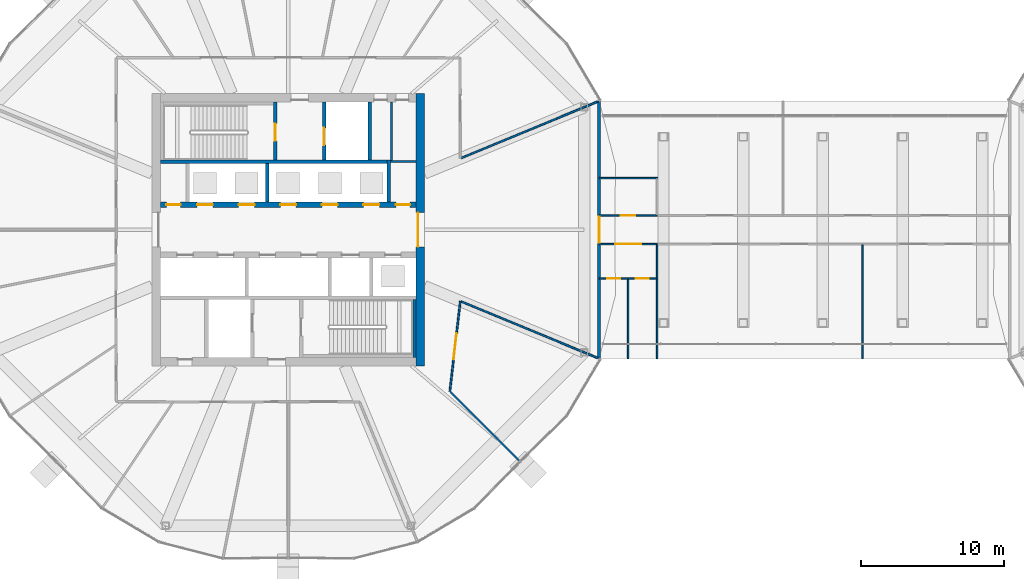
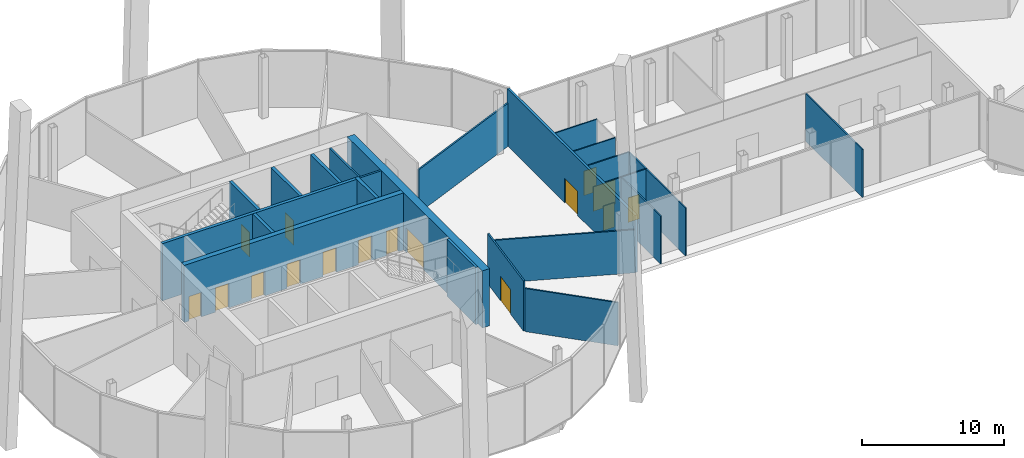
# One storey, part 20 of 28: 25 walls, 16 doors, 16 openings.
"""IFC4 building model written with IfcOpenShell, lengths in metres."""

from ifc_helpers import new_model, si_unit, direction, frame, frame_2d, origin, place, context, subcontext, project, spatial, rectangle, extrude, material, layer, layer_set, type_object, element, fill, save


model = new_model("IFC4")

# Units and contexts
model_context = context("Model", 3, precision=1e-05, world=origin(), true_north=direction((0.0, 1.0)))
body_context = subcontext(model_context, "Body", "Model", "MODEL_VIEW")
ifc_project = project(units=[si_unit("LENGTHUNIT", "METRE"), si_unit("AREAUNIT", "SQUARE_METRE"), si_unit("VOLUMEUNIT", "CUBIC_METRE"), si_unit("PLANEANGLEUNIT", "RADIAN"), si_unit("MASSUNIT", "GRAM", prefix="KILO")], contexts=[model_context])

# Site, building, storey
site_placement = place(None, origin())
site = spatial("IfcSite", under=ifc_project, at=site_placement, CompositionType="ELEMENT")
building_placement = place(site_placement, origin())
building = spatial("IfcBuilding", under=site, at=building_placement, Name="Ogive Gate Towers", CompositionType="ELEMENT")
storey_placement = place(building_placement, frame((0.0, 0.0, 135.60009765625)))
storey = spatial("IfcBuildingStorey", under=building, at=storey_placement, Name="L32", CompositionType="ELEMENT", Elevation=135.60009765625)

# Wall, opening, door
ifc_material_1 = material(Name="Concrete C60/75", Category="concrete")
ifc_layer_1 = layer(ifc_material_1, 0.60009765625)
ifc_layer_set_1 = layer_set([ifc_layer_1], Name="Core wall 600 mm")
wall_type_1 = type_object("IfcWallType", Name="Core wall 600 mm", PredefinedType="SHEAR", material=ifc_layer_set_1)
wall_1_placement = place(storey_placement, frame((-26.800048828125, -9.5, 0.0), z_axis=(0.0, 0.0, 1.0), x_axis=(0.0, 1.0, 0.0)))
wall_1 = element("IfcWall", 1, at=wall_1_placement, inside=storey, type_object=wall_type_1, Name="T1 L32 Core wall 600 mm", PredefinedType="SHEAR", context=body_context, shape_type="SweptSolid", body=[
    extrude(rectangle(XDim=19.0, YDim=0.60009765625, at=frame_2d((9.5, 0.0))), origin(), (0.0, 0.0, 1.0), 4.89990234375),
])
opening_1_placement = place(wall_1_placement, frame((8.300048828125, 0.0, 0.0)))
opening_1 = element("IfcOpeningElement", 2, at=opening_1_placement, cuts=wall_1, Name="Opening KD-T1-L32-02", PredefinedType="OPENING", context=body_context, shape_type="SweptSolid", body=[
    extrude(rectangle(XDim=2.39990234375, YDim=2.10009765625, at=frame_2d((1.199951171875, 1.050048828125))), frame((0.0, 0.31005859375, 0.0), z_axis=(0.0, -1.0, 0.0), x_axis=(1.0, 0.0, 0.0)), (0.0, 0.0, 1.0), 0.6201171875),
])
ifc_material_2 = material(Name="Steel fire door", Category="steel")
door_type_1 = type_object("IfcDoorType", Name="Core double door FD60S 2400 x 2100", OperationType="DOUBLE_DOOR_SINGLE_SWING", PredefinedType="DOOR", material=ifc_material_2)
door_1_placement = place(opening_1_placement, origin())
door_1 = element("IfcDoor", 3, at=door_1_placement, inside=storey, type_object=door_type_1, Name="T1 L32 Core door double", OperationType="DOUBLE_DOOR_SINGLE_SWING", OverallHeight=2.10009765625, OverallWidth=2.39990234375, PredefinedType="DOOR", context=body_context, shape_type="SweptSolid", body=[
    extrude(rectangle(XDim=2.39990234375, YDim=2.10009765625, at=frame_2d((1.199951171875, 1.050048828125))), frame((0.0, 0.1748046875, 0.0), z_axis=(0.0, -1.0, 0.0), x_axis=(1.0, 0.0, 0.0)), (0.0, 0.0, 1.0), 0.050048828125),
])
fill(opening_1, door_1)

# Walls
ifc_material_3 = material(Name="Gypsum board partition")
ifc_layer_2 = layer(ifc_material_3, 0.125)
ifc_layer_set_2 = layer_set([ifc_layer_2], Name="Partition 125")
wall_type_2 = type_object("IfcWallType", Name="Partition 125", PredefinedType="PARTITIONING", material=ifc_layer_set_2)
wall_2_placement = place(storey_placement, frame((-14.41650390625, 8.940185546875, 0.0), z_axis=(0.0, 0.0, 1.0), x_axis=(-0.923880008581, -0.382682283028, 0.0)))
element("IfcWall", 4, at=wall_2_placement, inside=storey, type_object=wall_type_2, Name="Partition T1-L32-001", PredefinedType="PARTITIONING", context=body_context, shape_type="SweptSolid", body=[
    extrude(rectangle(XDim=10.308349609375, YDim=0.125, at=frame_2d((5.154296875, 0.0))), origin(), (0.0, 0.0, 1.0), 3.699951171875),
])
wall_3_placement = place(storey_placement, frame((-19.89990234375, -16.10009765625, 0.0), z_axis=(0.0, 0.0, 1.0), x_axis=(-0.707106781187, 0.707106781187, 0.0)))
element("IfcWall", 5, at=wall_3_placement, inside=storey, type_object=wall_type_2, Name="Partition T1-L32-014", PredefinedType="PARTITIONING", context=body_context, shape_type="SweptSolid", body=[
    extrude(rectangle(XDim=6.7666015625, YDim=0.125, at=frame_2d((3.38330078125, 0.0))), origin(), (0.0, 0.0, 1.0), 3.699951171875),
])
wall_4_placement = place(storey_placement, frame((-14.41650390625, -8.940185546875, 0.0), z_axis=(0.0, 0.0, 1.0), x_axis=(-0.923880008581, 0.382682283028, 0.0)))
element("IfcWall", 6, at=wall_4_placement, inside=storey, type_object=wall_type_2, Name="Partition T1-L32-015", PredefinedType="PARTITIONING", context=body_context, shape_type="SweptSolid", body=[
    extrude(rectangle(XDim=10.308349609375, YDim=0.125, at=frame_2d((5.154296875, 0.0))), origin(), (0.0, 0.0, 1.0), 3.699951171875),
])

# Wall, opening, door
wall_5_placement = place(storey_placement, frame((-24.728759765625, -11.271240234375, 0.0), z_axis=(0.0, 0.0, 1.0), x_axis=(0.115255297393, 0.993335903118, 0.0)))
wall_5 = element("IfcWall", 7, at=wall_5_placement, inside=storey, type_object=wall_type_2, Name="Partition T1-L32-031", PredefinedType="PARTITIONING", context=body_context, shape_type="SweptSolid", body=[
    extrude(rectangle(XDim=6.342041015625, YDim=0.125, at=frame_2d((3.1708984375, 0.0))), origin(), (0.0, 0.0, 1.0), 4.2998046875),
])
opening_2_placement = place(wall_5_placement, frame((2.27099609375, 0.0, 0.0)))
opening_2 = element("IfcOpeningElement", 8, at=opening_2_placement, cuts=wall_5, Name="Opening T1-L32-D13", PredefinedType="OPENING", context=body_context, shape_type="SweptSolid", body=[
    extrude(rectangle(XDim=1.800048828125, YDim=2.10009765625, at=frame_2d((0.89990234375, 1.050048828125))), frame((0.0, 0.072509765625, 0.0), z_axis=(0.0, -1.0, 0.0), x_axis=(1.0, 0.0, 0.0)), (0.0, 0.0, 1.0), 0.14501953125),
])
ifc_material_4 = material(Name="Timber door", Category="wood")
door_type_2 = type_object("IfcDoorType", Name="Door pair 1800", OperationType="NOTDEFINED", PredefinedType="DOOR", material=ifc_material_4)
door_2_placement = place(opening_2_placement, origin())
door_2 = element("IfcDoor", 9, at=door_2_placement, inside=storey, type_object=door_type_2, Name="Door T1-L32-D13", OperationType="DOUBLE_DOOR_DOUBLE_SWING", OverallHeight=2.10009765625, OverallWidth=1.800048828125, PredefinedType="DOOR", context=body_context, shape_type="SweptSolid", body=[
    extrude(rectangle(XDim=1.800048828125, YDim=2.10009765625, at=frame_2d((0.89990234375, 1.050048828125))), frame((0.0, 0.02490234375, 0.0), z_axis=(0.0, -1.0, 0.0), x_axis=(1.0, 0.0, 0.0)), (0.0, 0.0, 1.0), 0.050048828125),
])
fill(opening_2, door_2)

ifc_layer_3 = layer(ifc_material_3, 0.10009765625)
ifc_layer_set_3 = layer_set([ifc_layer_3], Name="Partition wall 100")
wall_type_3 = type_object("IfcWallType", Name="Partition wall 100", PredefinedType="PARTITIONING", material=ifc_layer_set_3)
wall_6_placement = place(storey_placement, frame((-14.31640625, -1.0, 0.0), z_axis=(0.0, 0.0, 1.0), x_axis=(1.0, 0.0, 0.0)))
wall_6 = element("IfcWall", 10, at=wall_6_placement, inside=storey, type_object=wall_type_3, Name="L32 partition 001", PredefinedType="PARTITIONING", context=body_context, shape_type="SweptSolid", body=[
    extrude(rectangle(XDim=4.035888671875, YDim=0.10009765625, at=frame_2d((2.01806640625, 0.0))), origin(), (0.0, 0.0, 1.0), 4.099853515625),
])
opening_3_placement = place(wall_6_placement, frame((1.117919921875, 0.0, 0.0)))
opening_3 = element("IfcOpeningElement", 11, at=opening_3_placement, cuts=wall_6, Name="Opening PO215", PredefinedType="OPENING", context=body_context, shape_type="SweptSolid", body=[
    extrude(rectangle(XDim=1.800048828125, YDim=2.10009765625, at=frame_2d((0.89990234375, 1.050048828125))), frame((0.0, 0.06005859375, 0.0), z_axis=(0.0, -1.0, 0.0), x_axis=(1.0, 0.0, 0.0)), (0.0, 0.0, 1.0), 0.1201171875),
])
door_type_3 = type_object("IfcDoorType", Name="Double door 1800 x 2100", OperationType="NOTDEFINED", PredefinedType="DOOR", material=ifc_material_4)
door_3_placement = place(opening_3_placement, origin())
door_3 = element("IfcDoor", 12, at=door_3_placement, inside=storey, type_object=door_type_3, Name="Door PO215", OperationType="DOUBLE_DOOR_DOUBLE_SWING", OverallHeight=2.10009765625, OverallWidth=1.800048828125, PredefinedType="DOOR", context=body_context, shape_type="SweptSolid", body=[
    extrude(rectangle(XDim=1.800048828125, YDim=2.10009765625, at=frame_2d((0.89990234375, 1.050048828125))), frame((0.0, 0.02490234375, 0.0), z_axis=(0.0, -1.0, 0.0), x_axis=(1.0, 0.0, 0.0)), (0.0, 0.0, 1.0), 0.050048828125),
])
fill(opening_3, door_3)

wall_7_placement = place(storey_placement, frame((-14.31640625, 1.0, 0.0), z_axis=(0.0, 0.0, 1.0), x_axis=(1.0, 0.0, 0.0)))
wall_7 = element("IfcWall", 13, at=wall_7_placement, inside=storey, type_object=wall_type_3, Name="L32 partition 002", PredefinedType="PARTITIONING", context=body_context, shape_type="SweptSolid", body=[
    extrude(rectangle(XDim=4.035888671875, YDim=0.10009765625, at=frame_2d((2.01806640625, 0.0))), origin(), (0.0, 0.0, 1.0), 4.099853515625),
])
opening_4_placement = place(wall_7_placement, frame((1.51806640625, 0.0, 0.0)))
opening_4 = element("IfcOpeningElement", 14, at=opening_4_placement, cuts=wall_7, Name="Opening PO218", PredefinedType="OPENING", context=body_context, shape_type="SweptSolid", body=[
    extrude(rectangle(XDim=1.0, YDim=2.10009765625, at=frame_2d((0.5, 1.050048828125))), frame((0.0, 0.06005859375, 0.0), z_axis=(0.0, -1.0, 0.0), x_axis=(1.0, 0.0, 0.0)), (0.0, 0.0, 1.0), 0.1201171875),
])
door_type_4 = type_object("IfcDoorType", Name="Door 1000 x 2100", OperationType="NOTDEFINED", PredefinedType="DOOR", material=ifc_material_4)
door_4_placement = place(opening_4_placement, origin())
door_4 = element("IfcDoor", 15, at=door_4_placement, inside=storey, type_object=door_type_4, Name="Door PO218", OperationType="SINGLE_SWING_RIGHT", OverallHeight=2.10009765625, OverallWidth=1.0, PredefinedType="DOOR", context=body_context, shape_type="SweptSolid", body=[
    extrude(rectangle(XDim=1.0, YDim=2.10009765625, at=frame_2d((0.5, 1.050048828125))), frame((0.0, 0.02490234375, 0.0), z_axis=(0.0, -1.0, 0.0), x_axis=(1.0, 0.0, 0.0)), (0.0, 0.0, 1.0), 0.050048828125),
])
fill(opening_4, door_4)

wall_8_placement = place(storey_placement, frame((-14.31640625, -3.39990234375, 0.0), z_axis=(0.0, 0.0, 1.0), x_axis=(1.0, 0.0, 0.0)))
wall_8 = element("IfcWall", 16, at=wall_8_placement, inside=storey, type_object=wall_type_3, Name="L32 partition 007", PredefinedType="PARTITIONING", context=body_context, shape_type="SweptSolid", body=[
    extrude(rectangle(XDim=2.017822265625, YDim=0.10009765625, at=frame_2d((1.0087890625, 0.0))), origin(), (0.0, 0.0, 1.0), 4.099853515625),
])
opening_5_placement = place(wall_8_placement, frame((0.55908203125, 0.0, 0.0)))
opening_5 = element("IfcOpeningElement", 17, at=opening_5_placement, cuts=wall_8, Name="Opening PO216", PredefinedType="OPENING", context=body_context, shape_type="SweptSolid", body=[
    extrude(rectangle(XDim=0.89990234375, YDim=2.10009765625, at=frame_2d((0.449951171875, 1.050048828125))), frame((0.0, 0.06005859375, 0.0), z_axis=(0.0, -1.0, 0.0), x_axis=(1.0, 0.0, 0.0)), (0.0, 0.0, 1.0), 0.1201171875),
])
door_type_5 = type_object("IfcDoorType", Name="Door 900 x 2100", OperationType="NOTDEFINED", PredefinedType="DOOR", material=ifc_material_4)
door_5_placement = place(opening_5_placement, origin())
door_5 = element("IfcDoor", 18, at=door_5_placement, inside=storey, type_object=door_type_5, Name="Door PO216", OperationType="SINGLE_SWING_RIGHT", OverallHeight=2.10009765625, OverallWidth=0.89990234375, PredefinedType="DOOR", context=body_context, shape_type="SweptSolid", body=[
    extrude(rectangle(XDim=0.89990234375, YDim=2.10009765625, at=frame_2d((0.449951171875, 1.050048828125))), frame((0.0, 0.02490234375, 0.0), z_axis=(0.0, -1.0, 0.0), x_axis=(1.0, 0.0, 0.0)), (0.0, 0.0, 1.0), 0.050048828125),
])
fill(opening_5, door_5)

wall_9_placement = place(storey_placement, frame((-12.298583984375, -3.39990234375, 0.0), z_axis=(0.0, 0.0, 1.0), x_axis=(1.0, 0.0, 0.0)))
wall_9 = element("IfcWall", 19, at=wall_9_placement, inside=storey, type_object=wall_type_3, Name="L32 partition 008", PredefinedType="PARTITIONING", context=body_context, shape_type="SweptSolid", body=[
    extrude(rectangle(XDim=1.968017578125, YDim=0.10009765625, at=frame_2d((0.98388671875, 0.0))), origin(), (0.0, 0.0, 1.0), 4.099853515625),
])
opening_6_placement = place(wall_9_placement, frame((0.533935546875, 0.0, 0.0)))
opening_6 = element("IfcOpeningElement", 20, at=opening_6_placement, cuts=wall_9, Name="Opening PO217", PredefinedType="OPENING", context=body_context, shape_type="SweptSolid", body=[
    extrude(rectangle(XDim=0.89990234375, YDim=2.10009765625, at=frame_2d((0.449951171875, 1.050048828125))), frame((0.0, 0.06005859375, 0.0), z_axis=(0.0, -1.0, 0.0), x_axis=(1.0, 0.0, 0.0)), (0.0, 0.0, 1.0), 0.1201171875),
])
door_6_placement = place(opening_6_placement, origin())
door_6 = element("IfcDoor", 21, at=door_6_placement, inside=storey, type_object=door_type_5, Name="Door PO217", OperationType="SINGLE_SWING_LEFT", OverallHeight=2.10009765625, OverallWidth=0.89990234375, PredefinedType="DOOR", context=body_context, shape_type="SweptSolid", body=[
    extrude(rectangle(XDim=0.89990234375, YDim=2.10009765625, at=frame_2d((0.449951171875, 1.050048828125))), frame((0.0, 0.02490234375, 0.0), z_axis=(0.0, -1.0, 0.0), x_axis=(1.0, 0.0, 0.0)), (0.0, 0.0, 1.0), 0.050048828125),
])
fill(opening_6, door_6)

# Walls
wall_10_placement = place(storey_placement, frame((-10.280517578125, -3.39990234375, 0.0), z_axis=(0.0, 0.0, 1.0), x_axis=(0.0, 1.0, 0.0)))
element("IfcWall", 22, at=wall_10_placement, inside=storey, type_object=wall_type_3, Name="L32 partition 009", PredefinedType="PARTITIONING", context=body_context, shape_type="SweptSolid", body=[
    extrude(rectangle(XDim=2.349853515625, YDim=0.10009765625, at=frame_2d((1.1748046875, 0.0))), origin(), (0.0, 0.0, 1.0), 4.099853515625),
])
wall_11_placement = place(storey_placement, frame((-12.298583984375, -8.981689453125, 0.0), z_axis=(0.0, 0.0, 1.0), x_axis=(0.0, 1.0, 0.0)))
element("IfcWall", 23, at=wall_11_placement, inside=storey, type_object=wall_type_3, Name="L32 partition 010", PredefinedType="PARTITIONING", context=body_context, shape_type="SweptSolid", body=[
    extrude(rectangle(XDim=5.53173828125, YDim=0.10009765625, at=frame_2d((2.765869140625, 0.0))), origin(), (0.0, 0.0, 1.0), 4.099853515625),
])
wall_12_placement = place(storey_placement, frame((-10.280517578125, -8.981689453125, 0.0), z_axis=(0.0, 0.0, 1.0), x_axis=(0.0, 1.0, 0.0)))
element("IfcWall", 24, at=wall_12_placement, inside=storey, type_object=wall_type_3, Name="L32 partition 011", PredefinedType="PARTITIONING", context=body_context, shape_type="SweptSolid", body=[
    extrude(rectangle(XDim=5.581787109375, YDim=0.10009765625, at=frame_2d((2.791015625, 0.0))), origin(), (0.0, 0.0, 1.0), 4.099853515625),
])
wall_13_placement = place(storey_placement, frame((-14.31640625, 3.60009765625, 0.0), z_axis=(0.0, 0.0, 1.0), x_axis=(1.0, 0.0, 0.0)))
element("IfcWall", 25, at=wall_13_placement, inside=storey, type_object=wall_type_3, Name="L32 partition 012", PredefinedType="PARTITIONING", context=body_context, shape_type="SweptSolid", body=[
    extrude(rectangle(XDim=4.0859375, YDim=0.10009765625, at=frame_2d((2.04296875, 0.0))), origin(), (0.0, 0.0, 1.0), 4.099853515625),
])
wall_14_placement = place(storey_placement, frame((4.060791015625, -8.981689453125, 0.0), z_axis=(0.0, 0.0, 1.0), x_axis=(0.0, 1.0, 0.0)))
element("IfcWall", 26, at=wall_14_placement, inside=storey, type_object=wall_type_3, Name="L32 partition 015", PredefinedType="PARTITIONING", context=body_context, shape_type="SweptSolid", body=[
    extrude(rectangle(XDim=7.931640625, YDim=0.10009765625, at=frame_2d((3.9658203125, 0.0))), origin(), (0.0, 0.0, 1.0), 4.099853515625),
])

# Wall, opening, door
ifc_material_5 = material(Name="Masonry block wall", Category="masonry")
ifc_layer_4 = layer(ifc_material_5, 0.199951171875)
ifc_layer_set_4 = layer_set([ifc_layer_4], Name="Partition wall 200")
wall_type_4 = type_object("IfcWallType", Name="Partition wall 200", PredefinedType="PARTITIONING", material=ifc_layer_set_4)
wall_15_placement = place(storey_placement, frame((-14.31640625, -8.981689453125, 0.0), z_axis=(0.0, 0.0, 1.0), x_axis=(0.0, 1.0, 0.0)))
wall_15 = element("IfcWall", 27, at=wall_15_placement, inside=storey, type_object=wall_type_4, Name="L32 wall 016", PredefinedType="PARTITIONING", context=body_context, shape_type="SweptSolid", body=[
    extrude(rectangle(XDim=17.96337890625, YDim=0.199951171875, at=frame_2d((8.981689453125, 0.0))), origin(), (0.0, 0.0, 1.0), 4.89990234375),
])
opening_7_placement = place(wall_15_placement, frame((8.08154296875, 0.0, 0.0)))
opening_7 = element("IfcOpeningElement", 28, at=opening_7_placement, cuts=wall_15, Name="Opening PO226", PredefinedType="OPENING", context=body_context, shape_type="SweptSolid", body=[
    extrude(rectangle(XDim=1.800048828125, YDim=2.10009765625, at=frame_2d((0.89990234375, 1.050048828125))), frame((0.0, 0.10986328125, 0.0), z_axis=(0.0, -1.0, 0.0), x_axis=(1.0, 0.0, 0.0)), (0.0, 0.0, 1.0), 0.219970703125),
])
door_type_6 = type_object("IfcDoorType", Name="Interior fire double door FD120S 1800 x 2100", OperationType="NOTDEFINED", PredefinedType="DOOR", material=ifc_material_2)
door_7_placement = place(opening_7_placement, origin())
door_7 = element("IfcDoor", 29, at=door_7_placement, inside=storey, type_object=door_type_6, Name="Door PO226", OperationType="DOUBLE_DOOR_DOUBLE_SWING", OverallHeight=2.10009765625, OverallWidth=1.800048828125, PredefinedType="DOOR", context=body_context, shape_type="SweptSolid", body=[
    extrude(rectangle(XDim=1.800048828125, YDim=2.10009765625, at=frame_2d((0.89990234375, 1.050048828125))), frame((0.0, 0.02490234375, 0.0), z_axis=(0.0, -1.0, 0.0), x_axis=(1.0, 0.0, 0.0)), (0.0, 0.0, 1.0), 0.050048828125),
])
fill(opening_7, door_7)

# Walls
ifc_layer_5 = layer(ifc_material_3, 0.14990234375)
ifc_layer_set_5 = layer_set([ifc_layer_5], Name="Room partition 150 mm")
wall_type_5 = type_object("IfcWallType", Name="Room partition 150 mm", PredefinedType="PARTITIONING", material=ifc_layer_set_5)
wall_16_placement = place(storey_placement, frame((-28.875, 4.75, 0.0), z_axis=(0.0, 0.0, 1.0), x_axis=(1.0, 0.0, 0.0)))
element("IfcWall", 30, at=wall_16_placement, inside=storey, type_object=wall_type_5, Name="T1 L32 Room partition 150 mm", PredefinedType="PARTITIONING", context=body_context, shape_type="SweptSolid", body=[
    extrude(rectangle(XDim=1.77490234375, YDim=0.14990234375, at=frame_2d((0.887451171875, 0.0))), origin(), (0.0, 0.0, 1.0), 4.89990234375),
])
wall_17_placement = place(storey_placement, frame((-28.800048828125, 4.824951171875, 0.0), z_axis=(0.0, 0.0, 1.0), x_axis=(0.0, 1.0, 0.0)))
element("IfcWall", 31, at=wall_17_placement, inside=storey, type_object=wall_type_5, Name="T1 L32 Room partition 150 mm", PredefinedType="PARTITIONING", context=body_context, shape_type="SweptSolid", body=[
    extrude(rectangle(XDim=4.074951171875, YDim=0.14990234375, at=frame_2d((2.03759765625, 0.0))), origin(), (0.0, 0.0, 1.0), 4.89990234375),
])
ifc_layer_6 = layer(ifc_material_1, 0.25)
ifc_layer_set_6 = layer_set([ifc_layer_6], Name="Shaft wall 250 mm")
wall_type_6 = type_object("IfcWallType", Name="Shaft wall 250 mm", PredefinedType="SHEAR", material=ifc_layer_set_6)
wall_18_placement = place(storey_placement, frame((-44.89990234375, 4.75, 0.0), z_axis=(0.0, 0.0, 1.0), x_axis=(1.0, 0.0, 0.0)))
element("IfcWall", 32, at=wall_18_placement, inside=storey, type_object=wall_type_6, Name="T1 L32 Shaft wall 250 mm", PredefinedType="SHEAR", context=body_context, shape_type="SweptSolid", body=[
    extrude(rectangle(XDim=15.77490234375, YDim=0.25, at=frame_2d((7.887451171875, 0.0))), origin(), (0.0, 0.0, 1.0), 4.89990234375),
])
wall_19_placement = place(storey_placement, frame((-37.449951171875, 1.949951171875, 0.0), z_axis=(0.0, 0.0, 1.0), x_axis=(0.0, 1.0, 0.0)))
element("IfcWall", 33, at=wall_19_placement, inside=storey, type_object=wall_type_6, Name="T1 L32 Shaft wall 250 mm", PredefinedType="SHEAR", context=body_context, shape_type="SweptSolid", body=[
    extrude(rectangle(XDim=2.675048828125, YDim=0.25, at=frame_2d((1.33740234375, 0.0))), origin(), (0.0, 0.0, 1.0), 4.89990234375),
])

# Wall, opening, door
wall_20_placement = place(storey_placement, frame((-36.89990234375, 4.875, 0.0), z_axis=(0.0, 0.0, 1.0), x_axis=(0.0, 1.0, 0.0)))
wall_20 = element("IfcWall", 34, at=wall_20_placement, inside=storey, type_object=wall_type_6, Name="T1 L32 Shaft wall 250 mm", PredefinedType="SHEAR", context=body_context, shape_type="SweptSolid", body=[
    extrude(rectangle(XDim=4.02490234375, YDim=0.25, at=frame_2d((2.012451171875, 0.0))), origin(), (0.0, 0.0, 1.0), 4.89990234375),
])
opening_8_placement = place(wall_20_placement, frame((1.324951171875, 0.0, 0.0)))
opening_8 = element("IfcOpeningElement", 35, at=opening_8_placement, cuts=wall_20, Name="Opening KD-T1-L32-18", PredefinedType="OPENING", context=body_context, shape_type="SweptSolid", body=[
    extrude(rectangle(XDim=1.199951171875, YDim=2.10009765625, at=frame_2d((0.60009765625, 1.050048828125))), frame((0.0, 0.135009765625, 0.0), z_axis=(0.0, -1.0, 0.0), x_axis=(1.0, 0.0, 0.0)), (0.0, 0.0, 1.0), 0.27001953125),
])
door_type_7 = type_object("IfcDoorType", Name="Core door FD60S 1200 x 2100", OperationType="NOTDEFINED", PredefinedType="DOOR", material=ifc_material_2)
door_8_placement = place(opening_8_placement, origin())
door_8 = element("IfcDoor", 36, at=door_8_placement, inside=storey, type_object=door_type_7, Name="T1 L32 Stair door", OperationType="SINGLE_SWING_LEFT", OverallHeight=2.10009765625, OverallWidth=1.199951171875, PredefinedType="DOOR", context=body_context, shape_type="SweptSolid", body=[
    extrude(rectangle(XDim=1.199951171875, YDim=2.10009765625, at=frame_2d((0.60009765625, 1.050048828125))), frame((0.0, 0.02490234375, 0.0), z_axis=(0.0, -1.0, 0.0), x_axis=(1.0, 0.0, 0.0)), (0.0, 0.0, 1.0), 0.050048828125),
])
fill(opening_8, door_8)

wall_21_placement = place(storey_placement, frame((-33.5, 4.875, 0.0), z_axis=(0.0, 0.0, 1.0), x_axis=(0.0, 1.0, 0.0)))
wall_21 = element("IfcWall", 37, at=wall_21_placement, inside=storey, type_object=wall_type_6, Name="T1 L32 Shaft wall 250 mm", PredefinedType="SHEAR", context=body_context, shape_type="SweptSolid", body=[
    extrude(rectangle(XDim=4.02490234375, YDim=0.25, at=frame_2d((2.012451171875, 0.0))), origin(), (0.0, 0.0, 1.0), 4.89990234375),
])
opening_9_placement = place(wall_21_placement, frame((1.02490234375, 0.0, 0.0)))
opening_9 = element("IfcOpeningElement", 38, at=opening_9_placement, cuts=wall_21, Name="Opening LD-T1-L32-16", PredefinedType="OPENING", context=body_context, shape_type="SweptSolid", body=[
    extrude(rectangle(XDim=1.199951171875, YDim=2.10009765625, at=frame_2d((0.60009765625, 1.050048828125))), frame((0.0, 0.135009765625, 0.0), z_axis=(0.0, -1.0, 0.0), x_axis=(1.0, 0.0, 0.0)), (0.0, 0.0, 1.0), 0.27001953125),
])
ifc_material_6 = material(Name="Stainless steel landing door", Category="steel")
door_type_8 = type_object("IfcDoorType", Name="Landing door 1200 x 2100", OperationType="SLIDING_TO_LEFT", PredefinedType="DOOR", material=ifc_material_6)
door_9_placement = place(opening_9_placement, origin())
door_9 = element("IfcDoor", 39, at=door_9_placement, inside=storey, type_object=door_type_8, Name="T1 L32 Lift landing door FF1", OperationType="SLIDING_TO_LEFT", OverallHeight=2.10009765625, OverallWidth=1.199951171875, PredefinedType="DOOR", context=body_context, shape_type="SweptSolid", body=[
    extrude(rectangle(XDim=1.199951171875, YDim=2.10009765625, at=frame_2d((0.60009765625, 1.050048828125))), frame((0.0, 0.02490234375, 0.0), z_axis=(0.0, -1.0, 0.0), x_axis=(1.0, 0.0, 0.0)), (0.0, 0.0, 1.0), 0.050048828125),
])
fill(opening_9, door_9)

# Walls
wall_22_placement = place(storey_placement, frame((-30.300048828125, 4.875, 0.0), z_axis=(0.0, 0.0, 1.0), x_axis=(0.0, 1.0, 0.0)))
element("IfcWall", 40, at=wall_22_placement, inside=storey, type_object=wall_type_6, Name="T1 L32 Shaft wall 250 mm", PredefinedType="SHEAR", context=body_context, shape_type="SweptSolid", body=[
    extrude(rectangle(XDim=4.02490234375, YDim=0.25, at=frame_2d((2.012451171875, 0.0))), origin(), (0.0, 0.0, 1.0), 4.89990234375),
])
wall_23_placement = place(storey_placement, frame((-29.0, 1.949951171875, 0.0), z_axis=(0.0, 0.0, 1.0), x_axis=(0.0, 1.0, 0.0)))
element("IfcWall", 41, at=wall_23_placement, inside=storey, type_object=wall_type_6, Name="T1 L32 Shaft wall 250 mm", PredefinedType="SHEAR", context=body_context, shape_type="SweptSolid", body=[
    extrude(rectangle(XDim=2.925048828125, YDim=0.25, at=frame_2d((1.46240234375, 0.0))), origin(), (0.0, 0.0, 1.0), 4.89990234375),
])

# Wall, openings, doors
ifc_layer_7 = layer(ifc_material_1, 0.39990234375)
ifc_layer_set_7 = layer_set([ifc_layer_7], Name="Spine wall 400 mm")
wall_type_7 = type_object("IfcWallType", Name="Spine wall 400 mm", PredefinedType="SHEAR", material=ifc_layer_set_7)
wall_24_placement = place(storey_placement, frame((-44.89990234375, 1.75, 0.0), z_axis=(0.0, 0.0, 1.0), x_axis=(1.0, 0.0, 0.0)))
wall_24 = element("IfcWall", 42, at=wall_24_placement, inside=storey, type_object=wall_type_7, Name="T1 L32 Spine wall 400 mm", PredefinedType="SHEAR", context=body_context, shape_type="SweptSolid", body=[
    extrude(rectangle(XDim=17.7998046875, YDim=0.39990234375, at=frame_2d((8.89990234375, 0.0))), origin(), (0.0, 0.0, 1.0), 4.89990234375),
])
opening_10_placement = place(wall_24_placement, frame((0.39990234375, 0.0, 0.0)))
opening_10 = element("IfcOpeningElement", 43, at=opening_10_placement, cuts=wall_24, Name="Opening KD-T1-L32-03", PredefinedType="OPENING", context=body_context, shape_type="SweptSolid", body=[
    extrude(rectangle(XDim=1.0, YDim=2.10009765625, at=frame_2d((0.5, 1.050048828125))), frame((0.0, 0.2099609375, 0.0), z_axis=(0.0, -1.0, 0.0), x_axis=(1.0, 0.0, 0.0)), (0.0, 0.0, 1.0), 0.419921875),
])
opening_11_placement = place(wall_24_placement, frame((2.550048828125, 0.0, 0.0)))
opening_11 = element("IfcOpeningElement", 44, at=opening_11_placement, cuts=wall_24, Name="Opening LD-T1-L32-04", PredefinedType="OPENING", context=body_context, shape_type="SweptSolid", body=[
    extrude(rectangle(XDim=1.10009765625, YDim=2.10009765625, at=frame_2d((0.550048828125, 1.050048828125))), frame((0.0, 0.2099609375, 0.0), z_axis=(0.0, -1.0, 0.0), x_axis=(1.0, 0.0, 0.0)), (0.0, 0.0, 1.0), 0.419921875),
])
opening_12_placement = place(wall_24_placement, frame((5.449951171875, 0.0, 0.0)))
opening_12 = element("IfcOpeningElement", 45, at=opening_12_placement, cuts=wall_24, Name="Opening LD-T1-L32-05", PredefinedType="OPENING", context=body_context, shape_type="SweptSolid", body=[
    extrude(rectangle(XDim=1.10009765625, YDim=2.10009765625, at=frame_2d((0.550048828125, 1.050048828125))), frame((0.0, 0.2099609375, 0.0), z_axis=(0.0, -1.0, 0.0), x_axis=(1.0, 0.0, 0.0)), (0.0, 0.0, 1.0), 0.419921875),
])
opening_13_placement = place(wall_24_placement, frame((8.35009765625, 0.0, 0.0)))
opening_13 = element("IfcOpeningElement", 46, at=opening_13_placement, cuts=wall_24, Name="Opening LD-T1-L32-06", PredefinedType="OPENING", context=body_context, shape_type="SweptSolid", body=[
    extrude(rectangle(XDim=1.10009765625, YDim=2.10009765625, at=frame_2d((0.550048828125, 1.050048828125))), frame((0.0, 0.2099609375, 0.0), z_axis=(0.0, -1.0, 0.0), x_axis=(1.0, 0.0, 0.0)), (0.0, 0.0, 1.0), 0.419921875),
])
opening_14_placement = place(wall_24_placement, frame((11.25, 0.0, 0.0)))
opening_14 = element("IfcOpeningElement", 47, at=opening_14_placement, cuts=wall_24, Name="Opening LD-T1-L32-07", PredefinedType="OPENING", context=body_context, shape_type="SweptSolid", body=[
    extrude(rectangle(XDim=1.10009765625, YDim=2.10009765625, at=frame_2d((0.550048828125, 1.050048828125))), frame((0.0, 0.2099609375, 0.0), z_axis=(0.0, -1.0, 0.0), x_axis=(1.0, 0.0, 0.0)), (0.0, 0.0, 1.0), 0.419921875),
])
opening_15_placement = place(wall_24_placement, frame((14.14990234375, 0.0, 0.0)))
opening_15 = element("IfcOpeningElement", 48, at=opening_15_placement, cuts=wall_24, Name="Opening LD-T1-L32-08", PredefinedType="OPENING", context=body_context, shape_type="SweptSolid", body=[
    extrude(rectangle(XDim=1.10009765625, YDim=2.10009765625, at=frame_2d((0.550048828125, 1.050048828125))), frame((0.0, 0.2099609375, 0.0), z_axis=(0.0, -1.0, 0.0), x_axis=(1.0, 0.0, 0.0)), (0.0, 0.0, 1.0), 0.419921875),
])
opening_16_placement = place(wall_24_placement, frame((16.39990234375, 0.0, 0.0)))
opening_16 = element("IfcOpeningElement", 49, at=opening_16_placement, cuts=wall_24, Name="Opening KD-T1-L32-09", PredefinedType="OPENING", context=body_context, shape_type="SweptSolid", body=[
    extrude(rectangle(XDim=1.0, YDim=2.10009765625, at=frame_2d((0.5, 1.050048828125))), frame((0.0, 0.2099609375, 0.0), z_axis=(0.0, -1.0, 0.0), x_axis=(1.0, 0.0, 0.0)), (0.0, 0.0, 1.0), 0.419921875),
])
door_type_9 = type_object("IfcDoorType", Name="Core door FD60S 1000 x 2100", OperationType="NOTDEFINED", PredefinedType="DOOR", material=ifc_material_2)
door_10_placement = place(opening_10_placement, origin())
door_10 = element("IfcDoor", 50, at=door_10_placement, inside=storey, type_object=door_type_9, Name="T1 L32 Core door", OperationType="SINGLE_SWING_RIGHT", OverallHeight=2.10009765625, OverallWidth=1.0, PredefinedType="DOOR", context=body_context, shape_type="SweptSolid", body=[
    extrude(rectangle(XDim=1.0, YDim=2.10009765625, at=frame_2d((0.5, 1.050048828125))), frame((0.0, 0.02490234375, 0.0), z_axis=(0.0, -1.0, 0.0), x_axis=(1.0, 0.0, 0.0)), (0.0, 0.0, 1.0), 0.050048828125),
])
fill(opening_10, door_10)
door_11_placement = place(opening_16_placement, origin())
door_11 = element("IfcDoor", 51, at=door_11_placement, inside=storey, type_object=door_type_9, Name="T1 L32 Core door", OperationType="SINGLE_SWING_RIGHT", OverallHeight=2.10009765625, OverallWidth=1.0, PredefinedType="DOOR", context=body_context, shape_type="SweptSolid", body=[
    extrude(rectangle(XDim=1.0, YDim=2.10009765625, at=frame_2d((0.5, 1.050048828125))), frame((0.0, 0.02490234375, 0.0), z_axis=(0.0, -1.0, 0.0), x_axis=(1.0, 0.0, 0.0)), (0.0, 0.0, 1.0), 0.050048828125),
])
fill(opening_16, door_11)
door_type_10 = type_object("IfcDoorType", Name="Landing door 1100 x 2100", OperationType="SLIDING_TO_LEFT", PredefinedType="DOOR", material=ifc_material_6)
door_12_placement = place(opening_11_placement, origin())
door_12 = element("IfcDoor", 52, at=door_12_placement, inside=storey, type_object=door_type_10, Name="T1 L32 Lift landing door B1", OperationType="SLIDING_TO_LEFT", OverallHeight=2.10009765625, OverallWidth=1.10009765625, PredefinedType="DOOR", context=body_context, shape_type="SweptSolid", body=[
    extrude(rectangle(XDim=1.10009765625, YDim=2.10009765625, at=frame_2d((0.550048828125, 1.050048828125))), frame((0.0, 0.02490234375, 0.0), z_axis=(0.0, -1.0, 0.0), x_axis=(1.0, 0.0, 0.0)), (0.0, 0.0, 1.0), 0.050048828125),
])
fill(opening_11, door_12)
door_13_placement = place(opening_12_placement, origin())
door_13 = element("IfcDoor", 53, at=door_13_placement, inside=storey, type_object=door_type_10, Name="T1 L32 Lift landing door B2", OperationType="SLIDING_TO_LEFT", OverallHeight=2.10009765625, OverallWidth=1.10009765625, PredefinedType="DOOR", context=body_context, shape_type="SweptSolid", body=[
    extrude(rectangle(XDim=1.10009765625, YDim=2.10009765625, at=frame_2d((0.550048828125, 1.050048828125))), frame((0.0, 0.02490234375, 0.0), z_axis=(0.0, -1.0, 0.0), x_axis=(1.0, 0.0, 0.0)), (0.0, 0.0, 1.0), 0.050048828125),
])
fill(opening_12, door_13)
door_14_placement = place(opening_13_placement, origin())
door_14 = element("IfcDoor", 54, at=door_14_placement, inside=storey, type_object=door_type_10, Name="T1 L32 Lift landing door B3", OperationType="SLIDING_TO_LEFT", OverallHeight=2.10009765625, OverallWidth=1.10009765625, PredefinedType="DOOR", context=body_context, shape_type="SweptSolid", body=[
    extrude(rectangle(XDim=1.10009765625, YDim=2.10009765625, at=frame_2d((0.550048828125, 1.050048828125))), frame((0.0, 0.02490234375, 0.0), z_axis=(0.0, -1.0, 0.0), x_axis=(1.0, 0.0, 0.0)), (0.0, 0.0, 1.0), 0.050048828125),
])
fill(opening_13, door_14)
door_15_placement = place(opening_14_placement, origin())
door_15 = element("IfcDoor", 55, at=door_15_placement, inside=storey, type_object=door_type_10, Name="T1 L32 Lift landing door B4", OperationType="SLIDING_TO_LEFT", OverallHeight=2.10009765625, OverallWidth=1.10009765625, PredefinedType="DOOR", context=body_context, shape_type="SweptSolid", body=[
    extrude(rectangle(XDim=1.10009765625, YDim=2.10009765625, at=frame_2d((0.550048828125, 1.050048828125))), frame((0.0, 0.02490234375, 0.0), z_axis=(0.0, -1.0, 0.0), x_axis=(1.0, 0.0, 0.0)), (0.0, 0.0, 1.0), 0.050048828125),
])
fill(opening_14, door_15)
door_16_placement = place(opening_15_placement, origin())
door_16 = element("IfcDoor", 56, at=door_16_placement, inside=storey, type_object=door_type_10, Name="T1 L32 Lift landing door B5", OperationType="SLIDING_TO_LEFT", OverallHeight=2.10009765625, OverallWidth=1.10009765625, PredefinedType="DOOR", context=body_context, shape_type="SweptSolid", body=[
    extrude(rectangle(XDim=1.10009765625, YDim=2.10009765625, at=frame_2d((0.550048828125, 1.050048828125))), frame((0.0, 0.02490234375, 0.0), z_axis=(0.0, -1.0, 0.0), x_axis=(1.0, 0.0, 0.0)), (0.0, 0.0, 1.0), 0.050048828125),
])
fill(opening_15, door_16)

# Wall
ifc_layer_8 = layer(ifc_material_1, 0.199951171875)
ifc_layer_set_8 = layer_set([ifc_layer_8], Name="Stair wall 200 mm")
wall_type_8 = type_object("IfcWallType", Name="Stair wall 200 mm", PredefinedType="SHEAR", material=ifc_layer_set_8)
wall_25_placement = place(storey_placement, frame((-27.199951171875, -8.89990234375, 0.0), z_axis=(0.0, 0.0, 1.0), x_axis=(0.0, 1.0, 0.0)))
element("IfcWall", 57, at=wall_25_placement, inside=storey, type_object=wall_type_8, Name="T1 L32 Stair wall 200 mm", PredefinedType="SHEAR", context=body_context, shape_type="SweptSolid", body=[
    extrude(rectangle(XDim=4.02490234375, YDim=0.199951171875, at=frame_2d((2.012451171875, 0.0))), origin(), (0.0, 0.0, 1.0), 4.89990234375),
])

save(model, "model.ifc")
